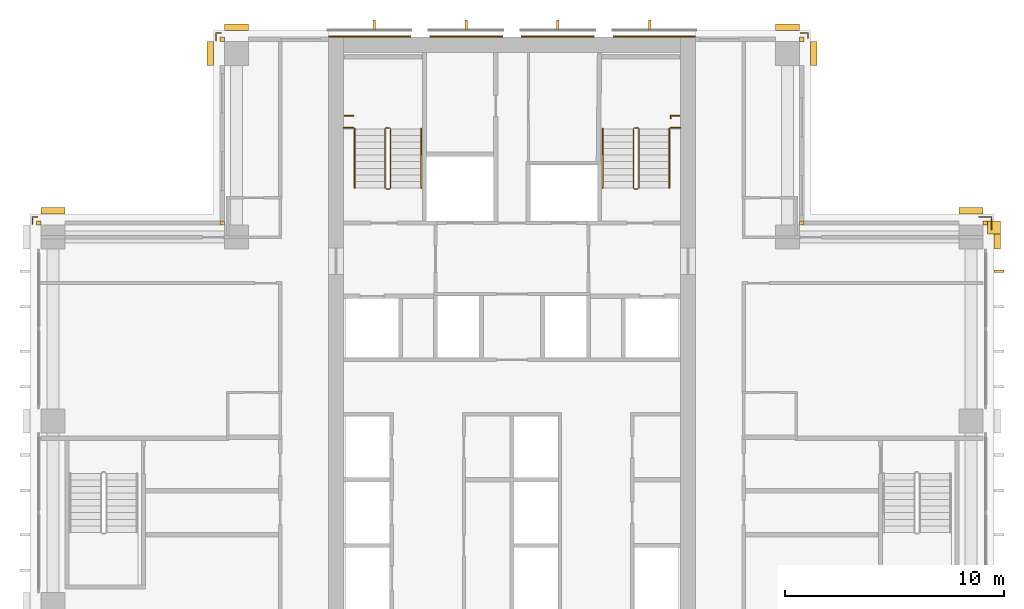
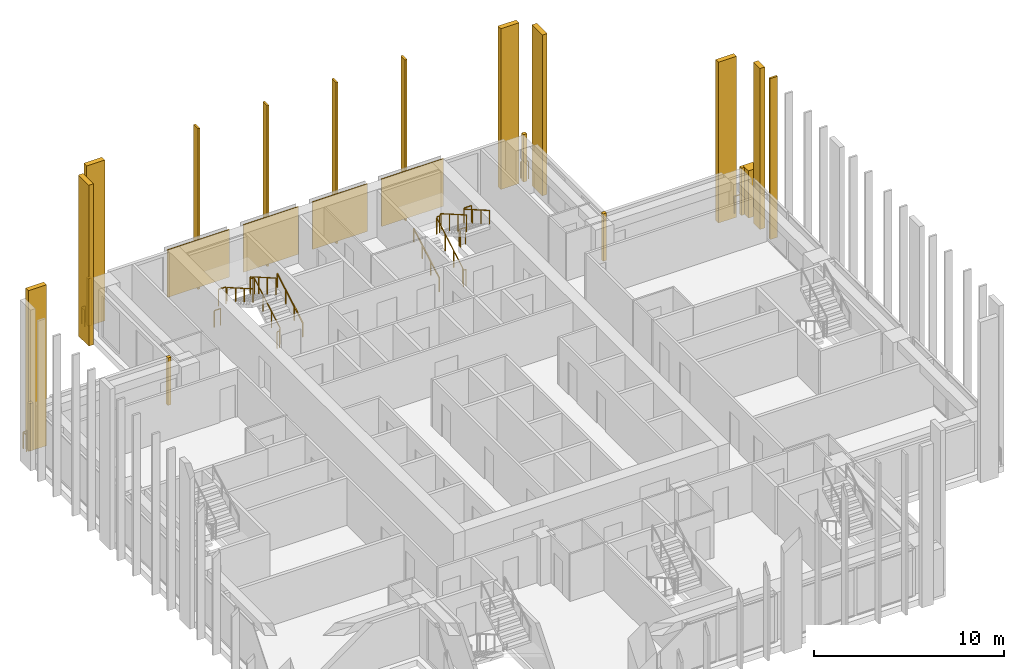
# One storey, part 16 of 16: 23 coverings, 14 railings.
"""IFC4 building model written with IfcOpenShell, lengths in metres."""

from ifc_helpers import new_model, si_unit, direction, frame, origin, origin_2d, place, context, subcontext, project, spatial, polyline, rectangle, outline, extrude, material, layer, layer_set, type_object, element, save


model = new_model("IFC4")

# Units and contexts
model_context = context("Model", 3, precision=1e-05, world=origin(), true_north=direction((0.0, 1.0)))
body_context = subcontext(model_context, "Body", "Model", "MODEL_VIEW")
ifc_project = project(units=[si_unit("LENGTHUNIT", "METRE"), si_unit("AREAUNIT", "SQUARE_METRE"), si_unit("VOLUMEUNIT", "CUBIC_METRE"), si_unit("PLANEANGLEUNIT", "RADIAN"), si_unit("MASSUNIT", "GRAM", prefix="KILO")], contexts=[model_context])

# Site, building, storey
site_placement = place(None, origin())
site = spatial("IfcSite", under=ifc_project, at=site_placement, CompositionType="ELEMENT")
building_placement = place(site_placement, origin())
building = spatial("IfcBuilding", under=site, at=building_placement, Name="Vermilion Ogive Tower", CompositionType="ELEMENT")
storey_placement = place(building_placement, frame((0.0, 0.0, 133.10009765625)))
storey = spatial("IfcBuildingStorey", under=building, at=storey_placement, Name="L33", CompositionType="ELEMENT", Elevation=133.10009765625)

# Coverings
ifc_material_1 = material(Name="Glazed ceramic screen")
ifc_layer = layer(ifc_material_1, 0.14990234375)
ifc_layer_set = layer_set([ifc_layer], Name="Ceramic solar screen fin")
covering_type_1 = type_object("IfcCoveringType", Name="Ceramic solar screen fin", PredefinedType="CLADDING", material=ifc_layer_set)
covering_1_placement = place(storey_placement, frame((0.0, 0.0, -0.400146484375)))
element("IfcCovering", 1, at=covering_1_placement, inside=storey, type_object=covering_type_1, Name="Solar screen blade E022", PredefinedType="CLADDING", context=body_context, shape_type="SweptSolid", body=[
    extrude(outline(polyline([(22.5, 10.9775390625), (22.5, 11.097412109375), (22.050048828125, 11.097412109375), (22.050048828125, 10.9775390625), (22.5, 10.9775390625)])), origin(), (0.0, 0.0, 1.0), 10.35009765625),
])
covering_2_placement = place(storey_placement, frame((0.0, 0.0, -0.400146484375)))
element("IfcCovering", 2, at=covering_2_placement, inside=storey, type_object=covering_type_1, Name="Solar screen blade N1", PredefinedType="CLADDING", context=body_context, shape_type="SweptSolid", body=[
    extrude(outline(polyline([(-6.360107421875, 22.08203125), (-6.239990234375, 22.08203125), (-6.239990234375, 22.531982421875), (-6.360107421875, 22.531982421875), (-6.360107421875, 22.08203125)])), origin(), (0.0, 0.0, 1.0), 10.35009765625),
])
covering_3_placement = place(storey_placement, frame((0.0, 0.0, -0.400146484375)))
element("IfcCovering", 3, at=covering_3_placement, inside=storey, type_object=covering_type_1, Name="Solar screen blade N2", PredefinedType="CLADDING", context=body_context, shape_type="SweptSolid", body=[
    extrude(outline(polyline([(-2.159912109375, 22.08203125), (-2.0400390625, 22.08203125), (-2.0400390625, 22.531982421875), (-2.159912109375, 22.531982421875), (-2.159912109375, 22.08203125)])), origin(), (0.0, 0.0, 1.0), 10.35009765625),
])
covering_4_placement = place(storey_placement, frame((0.0, 0.0, -0.400146484375)))
element("IfcCovering", 4, at=covering_4_placement, inside=storey, type_object=covering_type_1, Name="Solar screen blade N3", PredefinedType="CLADDING", context=body_context, shape_type="SweptSolid", body=[
    extrude(outline(polyline([(2.0400390625, 22.08203125), (2.159912109375, 22.08203125), (2.159912109375, 22.531982421875), (2.0400390625, 22.531982421875), (2.0400390625, 22.08203125)])), origin(), (0.0, 0.0, 1.0), 10.35009765625),
])
covering_5_placement = place(storey_placement, frame((0.0, 0.0, -0.400146484375)))
element("IfcCovering", 5, at=covering_5_placement, inside=storey, type_object=covering_type_1, Name="Solar screen blade N4", PredefinedType="CLADDING", context=body_context, shape_type="SweptSolid", body=[
    extrude(outline(polyline([(6.239990234375, 22.08203125), (6.360107421875, 22.08203125), (6.360107421875, 22.531982421875), (6.239990234375, 22.531982421875), (6.239990234375, 22.08203125)])), origin(), (0.0, 0.0, 1.0), 10.35009765625),
])

# Railings
ifc_material_2 = material(Name="Stainless steel", Category="steel")
railing_type_1 = type_object("IfcRailingType", Name="Slab edge guard SG1", PredefinedType="GUARDRAIL", material=ifc_material_2)
railing_1_placement = place(storey_placement, frame((-21.929931640625, 13.199951171875, 0.0)))
element("IfcRailing", 6, at=railing_1_placement, inside=storey, type_object=railing_type_1, Name="L33 slab corner guard", PredefinedType="GUARDRAIL", context=body_context, shape_type="SweptSolid", body=[
    extrude(rectangle(XDim=0.050048828125, YDim=0.050048828125, at=origin_2d()), frame((0.0, 0.0, 1.0751953125), z_axis=(0.0, 1.0, 0.0), x_axis=(-1.0, 0.0, 0.0)), (0.0, 0.0, 1.0), 0.330078125),
    extrude(rectangle(XDim=0.050048828125, YDim=0.050048828125, at=origin_2d()), frame((0.0, 0.330078125, 1.0751953125), z_axis=(1.0, 0.0, 0.0), x_axis=(0.0, 1.0, 0.0)), (0.0, 0.0, 1.0), 0.22998046875),
    extrude(rectangle(XDim=0.050048828125, YDim=0.050048828125, at=origin_2d()), origin(), (0.0, 0.0, 1.0), 1.050048828125),
    extrude(rectangle(XDim=0.050048828125, YDim=0.050048828125, at=origin_2d()), frame((0.0, 0.330078125, 0.0)), (0.0, 0.0, 1.0), 1.050048828125),
    extrude(rectangle(XDim=0.050048828125, YDim=0.050048828125, at=origin_2d()), frame((0.22998046875, 0.330078125, 0.0)), (0.0, 0.0, 1.0), 1.050048828125),
])
railing_2_placement = place(storey_placement, frame((-13.530029296875, 21.60009765625, 0.0)))
element("IfcRailing", 7, at=railing_2_placement, inside=storey, type_object=railing_type_1, Name="L33 slab corner guard", PredefinedType="GUARDRAIL", context=body_context, shape_type="SweptSolid", body=[
    extrude(rectangle(XDim=0.050048828125, YDim=0.050048828125, at=origin_2d()), frame((0.0, 0.0, 1.0751953125), z_axis=(0.0, 1.0, 0.0), x_axis=(-1.0, 0.0, 0.0)), (0.0, 0.0, 1.0), 0.329833984375),
    extrude(rectangle(XDim=0.050048828125, YDim=0.050048828125, at=origin_2d()), frame((0.0, 0.329833984375, 1.0751953125), z_axis=(1.0, 0.0, 0.0), x_axis=(0.0, 1.0, 0.0)), (0.0, 0.0, 1.0), 0.22998046875),
    extrude(rectangle(XDim=0.050048828125, YDim=0.050048828125, at=origin_2d()), origin(), (0.0, 0.0, 1.0), 1.050048828125),
    extrude(rectangle(XDim=0.050048828125, YDim=0.050048828125, at=origin_2d()), frame((0.0, 0.329833984375, 0.0)), (0.0, 0.0, 1.0), 1.050048828125),
    extrude(rectangle(XDim=0.050048828125, YDim=0.050048828125, at=origin_2d()), frame((0.22998046875, 0.329833984375, 0.0)), (0.0, 0.0, 1.0), 1.050048828125),
])
railing_3_placement = place(storey_placement, frame((13.199951171875, 21.929931640625, 0.0)))
element("IfcRailing", 8, at=railing_3_placement, inside=storey, type_object=railing_type_1, Name="L33 slab corner guard", PredefinedType="GUARDRAIL", context=body_context, shape_type="SweptSolid", body=[
    extrude(rectangle(XDim=0.050048828125, YDim=0.050048828125, at=origin_2d()), frame((0.0, 0.0, 1.0751953125), z_axis=(1.0, 0.0, 0.0), x_axis=(0.0, 1.0, 0.0)), (0.0, 0.0, 1.0), 0.330078125),
    extrude(rectangle(XDim=0.050048828125, YDim=0.050048828125, at=origin_2d()), frame((0.330078125, 0.0, 1.0751953125), z_axis=(0.0, -1.0, 0.0), x_axis=(1.0, 0.0, 0.0)), (0.0, 0.0, 1.0), 0.22998046875),
    extrude(rectangle(XDim=0.050048828125, YDim=0.050048828125, at=origin_2d()), origin(), (0.0, 0.0, 1.0), 1.050048828125),
    extrude(rectangle(XDim=0.050048828125, YDim=0.050048828125, at=origin_2d()), frame((0.330078125, 0.0, 0.0)), (0.0, 0.0, 1.0), 1.050048828125),
    extrude(rectangle(XDim=0.050048828125, YDim=0.050048828125, at=origin_2d()), frame((0.330078125, -0.22998046875, 0.0)), (0.0, 0.0, 1.0), 1.050048828125),
])
railing_4_placement = place(storey_placement, frame((21.929931640625, 12.949951171875, 0.0)))
element("IfcRailing", 9, at=railing_4_placement, inside=storey, type_object=railing_type_1, Name="L33 slab corner guard", PredefinedType="GUARDRAIL", context=body_context, shape_type="SweptSolid", body=[
    extrude(rectangle(XDim=0.050048828125, YDim=0.050048828125, at=origin_2d()), frame((0.0, 0.0, 1.0751953125), z_axis=(0.0, 1.0, 0.0), x_axis=(-1.0, 0.0, 0.0)), (0.0, 0.0, 1.0), 0.580078125),
    extrude(rectangle(XDim=0.050048828125, YDim=0.050048828125, at=origin_2d()), frame((0.0, 0.580078125, 1.0751953125), z_axis=(-1.0, 0.0, 0.0), x_axis=(0.0, -1.0, 0.0)), (0.0, 0.0, 1.0), 0.579833984375),
    extrude(rectangle(XDim=0.050048828125, YDim=0.050048828125, at=origin_2d()), origin(), (0.0, 0.0, 1.0), 1.050048828125),
    extrude(rectangle(XDim=0.050048828125, YDim=0.050048828125, at=origin_2d()), frame((0.0, 0.580078125, 0.0)), (0.0, 0.0, 1.0), 1.050048828125),
    extrude(rectangle(XDim=0.050048828125, YDim=0.050048828125, at=origin_2d()), frame((-0.579833984375, 0.580078125, 0.0)), (0.0, 0.0, 1.0), 1.050048828125),
])
ifc_material_3 = material(Name="Steel S355 painted", Category="steel")
railing_type_2 = type_object("IfcRailingType", Name="Stair guard 1100", PredefinedType="GUARDRAIL", material=ifc_material_3)
railing_5_placement = place(storey_placement, frame((-5.75, 14.800048828125, 0.0)))
element("IfcRailing", 10, at=railing_5_placement, inside=storey, type_object=railing_type_2, Name="L33 ST1 stair guard 4", PredefinedType="GUARDRAIL", context=body_context, shape_type="SweptSolid", body=[
    extrude(rectangle(XDim=0.048095703125, YDim=0.048095703125, at=origin_2d()), frame((0.0, 0.0, 1.076171875), z_axis=(1.0, 0.0, 0.0), x_axis=(0.0, 1.0, 0.0)), (0.0, 0.0, 1.0), 0.14990234375),
    extrude(rectangle(XDim=0.048095703125, YDim=0.048095703125, at=origin_2d()), frame((0.14990234375, 0.0, 1.076171875), z_axis=(0.268603158521, 0.268603158521, 0.925043072762), x_axis=(-0.707106781187, 0.707106781187, 0.0)), (0.0, 0.0, 1.0), 0.186279296875),
    extrude(rectangle(XDim=0.048095703125, YDim=0.048095703125, at=origin_2d()), frame((0.199951171875, 0.050048828125, 1.24853515625), z_axis=(0.0, 0.866903762492, 0.498475542607), x_axis=(-1.0, 0.0, 0.0)), (0.0, 0.0, 1.0), 3.114501953125),
    extrude(rectangle(XDim=0.048095703125, YDim=0.048095703125, at=origin_2d()), frame((0.199951171875, 2.75, 2.80078125), z_axis=(-0.707106781187, 0.707106781187, 0.0), x_axis=(-0.707106781187, -0.707106781187, 0.0)), (0.0, 0.0, 1.0), 0.07080078125),
    extrude(rectangle(XDim=0.048095703125, YDim=0.048095703125, at=origin_2d()), frame((0.14990234375, 2.800048828125, 2.80078125), z_axis=(-1.0, 0.0, 0.0), x_axis=(0.0, -1.0, 0.0)), (0.0, 0.0, 1.0), 0.14990234375),
    extrude(rectangle(XDim=0.048095703125, YDim=0.048095703125, at=origin_2d()), frame((0.0, 2.800048828125, 2.80078125), z_axis=(-0.268277960024, -0.268277960024, 0.925231793839), x_axis=(0.707106781187, -0.707106781187, 0.0)), (0.0, 0.0, 1.0), 0.1865234375),
    extrude(rectangle(XDim=0.048095703125, YDim=0.048095703125, at=origin_2d()), frame((-0.050048828125, 2.75, 2.9736328125), z_axis=(0.0, -0.866903762492, 0.498475542607), x_axis=(1.0, 0.0, 0.0)), (0.0, 0.0, 1.0), 3.114501953125),
    extrude(rectangle(XDim=0.0419921875, YDim=0.0419921875, at=origin_2d()), origin(), (0.0, 0.0, 1.0), 1.052001953125),
    extrude(rectangle(XDim=0.0419921875, YDim=0.0419921875, at=origin_2d()), frame((0.14990234375, 0.0, 0.0)), (0.0, 0.0, 1.0), 1.052001953125),
    extrude(rectangle(XDim=0.0419921875, YDim=0.0419921875, at=origin_2d()), frame((0.199951171875, 0.050048828125, 0.17236328125)), (0.0, 0.0, 1.0), 1.052001953125),
    extrude(rectangle(XDim=0.0419921875, YDim=0.0419921875, at=origin_2d()), frame((0.199951171875, 0.949951171875, 0.68994140625)), (0.0, 0.0, 1.0), 1.052001953125),
    extrude(rectangle(XDim=0.0419921875, YDim=0.0419921875, at=origin_2d()), frame((0.199951171875, 1.85009765625, 1.207275390625)), (0.0, 0.0, 1.0), 1.052001953125),
    extrude(rectangle(XDim=0.0419921875, YDim=0.0419921875, at=origin_2d()), frame((0.199951171875, 2.75, 1.724853515625)), (0.0, 0.0, 1.0), 1.052001953125),
    extrude(rectangle(XDim=0.0419921875, YDim=0.0419921875, at=origin_2d()), frame((0.14990234375, 2.800048828125, 1.724853515625)), (0.0, 0.0, 1.0), 1.052001953125),
    extrude(rectangle(XDim=0.0419921875, YDim=0.0419921875, at=origin_2d()), frame((0.0, 2.800048828125, 1.724853515625)), (0.0, 0.0, 1.0), 1.052001953125),
    extrude(rectangle(XDim=0.0419921875, YDim=0.0419921875, at=origin_2d()), frame((-0.050048828125, 2.75, 1.8974609375)), (0.0, 0.0, 1.0), 1.052001953125),
    extrude(rectangle(XDim=0.0419921875, YDim=0.0419921875, at=origin_2d()), frame((-0.050048828125, 1.85009765625, 2.4150390625)), (0.0, 0.0, 1.0), 1.052001953125),
    extrude(rectangle(XDim=0.0419921875, YDim=0.0419921875, at=origin_2d()), frame((-0.050048828125, 0.949951171875, 2.932373046875)), (0.0, 0.0, 1.0), 1.052001953125),
    extrude(rectangle(XDim=0.0419921875, YDim=0.0419921875, at=origin_2d()), frame((-0.050048828125, 0.050048828125, 3.449951171875)), (0.0, 0.0, 1.0), 1.052001953125),
])
railing_6_placement = place(storey_placement, frame((5.75, 14.800048828125, 0.0)))
element("IfcRailing", 11, at=railing_6_placement, inside=storey, type_object=railing_type_2, Name="L33 ST2 stair guard 4", PredefinedType="GUARDRAIL", context=body_context, shape_type="SweptSolid", body=[
    extrude(rectangle(XDim=0.048095703125, YDim=0.048095703125, at=origin_2d()), frame((0.0, 0.0, 1.076171875), z_axis=(-1.0, 0.0, 0.0), x_axis=(0.0, -1.0, 0.0)), (0.0, 0.0, 1.0), 0.14990234375),
    extrude(rectangle(XDim=0.048095703125, YDim=0.048095703125, at=origin_2d()), frame((-0.14990234375, 0.0, 1.076171875), z_axis=(-0.268603158521, 0.268603158521, 0.925043072762), x_axis=(-0.707106781187, -0.707106781187, 0.0)), (0.0, 0.0, 1.0), 0.186279296875),
    extrude(rectangle(XDim=0.048095703125, YDim=0.048095703125, at=origin_2d()), frame((-0.199951171875, 0.050048828125, 1.24853515625), z_axis=(0.0, 0.866903762492, 0.498475542607), x_axis=(-1.0, 0.0, 0.0)), (0.0, 0.0, 1.0), 3.114501953125),
    extrude(rectangle(XDim=0.048095703125, YDim=0.048095703125, at=origin_2d()), frame((-0.199951171875, 2.75, 2.80078125), z_axis=(0.707106781187, 0.707106781187, 0.0), x_axis=(-0.707106781187, 0.707106781187, 0.0)), (0.0, 0.0, 1.0), 0.07080078125),
    extrude(rectangle(XDim=0.048095703125, YDim=0.048095703125, at=origin_2d()), frame((-0.14990234375, 2.800048828125, 2.80078125), z_axis=(1.0, 0.0, 0.0), x_axis=(0.0, 1.0, 0.0)), (0.0, 0.0, 1.0), 0.14990234375),
    extrude(rectangle(XDim=0.048095703125, YDim=0.048095703125, at=origin_2d()), frame((0.0, 2.800048828125, 2.80078125), z_axis=(0.268277960024, -0.268277960024, 0.925231793839), x_axis=(0.707106781187, 0.707106781187, 0.0)), (0.0, 0.0, 1.0), 0.1865234375),
    extrude(rectangle(XDim=0.048095703125, YDim=0.048095703125, at=origin_2d()), frame((0.050048828125, 2.75, 2.9736328125), z_axis=(0.0, -0.866903762492, 0.498475542607), x_axis=(1.0, 0.0, 0.0)), (0.0, 0.0, 1.0), 3.114501953125),
    extrude(rectangle(XDim=0.0419921875, YDim=0.0419921875, at=origin_2d()), origin(), (0.0, 0.0, 1.0), 1.052001953125),
    extrude(rectangle(XDim=0.0419921875, YDim=0.0419921875, at=origin_2d()), frame((-0.14990234375, 0.0, 0.0)), (0.0, 0.0, 1.0), 1.052001953125),
    extrude(rectangle(XDim=0.0419921875, YDim=0.0419921875, at=origin_2d()), frame((-0.199951171875, 0.050048828125, 0.17236328125)), (0.0, 0.0, 1.0), 1.052001953125),
    extrude(rectangle(XDim=0.0419921875, YDim=0.0419921875, at=origin_2d()), frame((-0.199951171875, 0.949951171875, 0.68994140625)), (0.0, 0.0, 1.0), 1.052001953125),
    extrude(rectangle(XDim=0.0419921875, YDim=0.0419921875, at=origin_2d()), frame((-0.199951171875, 1.85009765625, 1.207275390625)), (0.0, 0.0, 1.0), 1.052001953125),
    extrude(rectangle(XDim=0.0419921875, YDim=0.0419921875, at=origin_2d()), frame((-0.199951171875, 2.75, 1.724853515625)), (0.0, 0.0, 1.0), 1.052001953125),
    extrude(rectangle(XDim=0.0419921875, YDim=0.0419921875, at=origin_2d()), frame((-0.14990234375, 2.800048828125, 1.724853515625)), (0.0, 0.0, 1.0), 1.052001953125),
    extrude(rectangle(XDim=0.0419921875, YDim=0.0419921875, at=origin_2d()), frame((0.0, 2.800048828125, 1.724853515625)), (0.0, 0.0, 1.0), 1.052001953125),
    extrude(rectangle(XDim=0.0419921875, YDim=0.0419921875, at=origin_2d()), frame((0.050048828125, 2.75, 1.8974609375)), (0.0, 0.0, 1.0), 1.052001953125),
    extrude(rectangle(XDim=0.0419921875, YDim=0.0419921875, at=origin_2d()), frame((0.050048828125, 1.85009765625, 2.4150390625)), (0.0, 0.0, 1.0), 1.052001953125),
    extrude(rectangle(XDim=0.0419921875, YDim=0.0419921875, at=origin_2d()), frame((0.050048828125, 0.949951171875, 2.932373046875)), (0.0, 0.0, 1.0), 1.052001953125),
    extrude(rectangle(XDim=0.0419921875, YDim=0.0419921875, at=origin_2d()), frame((0.050048828125, 0.050048828125, 3.449951171875)), (0.0, 0.0, 1.0), 1.052001953125),
])
for number, where, name in (
    (12, (-7.699951171875, 17.60009765625, 1.724853515625), "L33 landing guard"),
    (13, (7.25, 17.60009765625, 1.724853515625), "L33 landing guard"),
):
    element("IfcRailing", number, at=place(storey_placement, frame(where)), inside=storey, type_object=railing_type_2, Name=name, PredefinedType="GUARDRAIL", context=body_context, shape_type="SweptSolid", body=[
        extrude(rectangle(XDim=0.048095703125, YDim=0.048095703125, at=origin_2d()), frame((0.0, 0.0, 1.076171875), z_axis=(1.0, 0.0, 0.0), x_axis=(0.0, 1.0, 0.0)), (0.0, 0.0, 1.0), 0.449951171875),
        extrude(rectangle(XDim=0.0419921875, YDim=0.0419921875, at=origin_2d()), origin(), (0.0, 0.0, 1.0), 1.052001953125),
        extrude(rectangle(XDim=0.0419921875, YDim=0.0419921875, at=origin_2d()), frame((0.449951171875, 0.0, 0.0)), (0.0, 0.0, 1.0), 1.052001953125),
    ])
railing_7_placement = place(storey_placement, frame((-7.639892578125, 18.14990234375, 0.0)))
element("IfcRailing", 14, at=railing_7_placement, inside=storey, type_object=railing_type_2, Name="L33 stair opening guard", PredefinedType="GUARDRAIL", context=body_context, shape_type="SweptSolid", body=[
    extrude(rectangle(XDim=0.048095703125, YDim=0.048095703125, at=origin_2d()), frame((0.0, 0.0, 1.076171875), z_axis=(1.0, 0.0, 0.0), x_axis=(0.0, 1.0, 0.0)), (0.0, 0.0, 1.0), 0.389892578125),
    extrude(rectangle(XDim=0.0419921875, YDim=0.0419921875, at=origin_2d()), origin(), (0.0, 0.0, 1.0), 1.052001953125),
    extrude(rectangle(XDim=0.0419921875, YDim=0.0419921875, at=origin_2d()), frame((0.389892578125, 0.0, 0.0)), (0.0, 0.0, 1.0), 1.052001953125),
])
railing_8_placement = place(storey_placement, frame((7.267578125, 18.03271484375, 0.0)))
element("IfcRailing", 15, at=railing_8_placement, inside=storey, type_object=railing_type_2, Name="L33 stair opening guard", PredefinedType="GUARDRAIL", context=body_context, shape_type="SweptSolid", body=[
    extrude(rectangle(XDim=0.048095703125, YDim=0.048095703125, at=origin_2d()), frame((0.0, 0.0, 1.076171875), z_axis=(0.0, 1.0, 0.0), x_axis=(-1.0, 0.0, 0.0)), (0.0, 0.0, 1.0), 0.119873046875),
    extrude(rectangle(XDim=0.048095703125, YDim=0.048095703125, at=origin_2d()), frame((0.0, 0.119873046875, 1.076171875), z_axis=(1.0, 0.0, 0.0), x_axis=(0.0, 1.0, 0.0)), (0.0, 0.0, 1.0), 0.39013671875),
    extrude(rectangle(XDim=0.0419921875, YDim=0.0419921875, at=origin_2d()), origin(), (0.0, 0.0, 1.0), 1.052001953125),
    extrude(rectangle(XDim=0.0419921875, YDim=0.0419921875, at=origin_2d()), frame((0.0, 0.119873046875, 0.0)), (0.0, 0.0, 1.0), 1.052001953125),
    extrude(rectangle(XDim=0.0419921875, YDim=0.0419921875, at=origin_2d()), frame((0.39013671875, 0.119873046875, 0.0)), (0.0, 0.0, 1.0), 1.052001953125),
])
ifc_material_4 = material(Name="Stainless steel", Category="steel")
railing_type_3 = type_object("IfcRailingType", Name="Stair handrail 900", PredefinedType="HANDRAIL", material=ifc_material_4)
railing_9_placement = place(storey_placement, frame((-4.14990234375, 14.85009765625, 0.17236328125)))
element("IfcRailing", 16, at=railing_9_placement, inside=storey, type_object=railing_type_3, Name="L33 ST1 stair handrail 1", PredefinedType="HANDRAIL", context=body_context, shape_type="SweptSolid", body=[
    extrude(rectangle(XDim=0.048095703125, YDim=0.048095703125, at=origin_2d()), frame((0.0, 0.0, 0.8759765625), z_axis=(0.0, 0.866903762492, 0.498475542607), x_axis=(-1.0, 0.0, 0.0)), (0.0, 0.0, 1.0), 3.114501953125),
    extrude(rectangle(XDim=0.0419921875, YDim=0.0419921875, at=origin_2d()), origin(), (0.0, 0.0, 1.0), 0.851806640625),
    extrude(rectangle(XDim=0.0419921875, YDim=0.0419921875, at=origin_2d()), frame((0.0, 0.89990234375, 0.517578125)), (0.0, 0.0, 1.0), 0.851806640625),
    extrude(rectangle(XDim=0.0419921875, YDim=0.0419921875, at=origin_2d()), frame((0.0, 1.800048828125, 1.034912109375)), (0.0, 0.0, 1.0), 0.851806640625),
    extrude(rectangle(XDim=0.0419921875, YDim=0.0419921875, at=origin_2d()), frame((0.0, 2.699951171875, 1.552490234375)), (0.0, 0.0, 1.0), 0.851806640625),
])
railing_10_placement = place(storey_placement, frame((-7.199951171875, 17.550048828125, 1.8974609375)))
element("IfcRailing", 17, at=railing_10_placement, inside=storey, type_object=railing_type_3, Name="L33 ST1 stair handrail 2", PredefinedType="HANDRAIL", context=body_context, shape_type="SweptSolid", body=[
    extrude(rectangle(XDim=0.048095703125, YDim=0.048095703125, at=origin_2d()), frame((0.0, 0.0, 0.8759765625), z_axis=(0.0, -0.866903762492, 0.498475542607), x_axis=(1.0, 0.0, 0.0)), (0.0, 0.0, 1.0), 3.114501953125),
    extrude(rectangle(XDim=0.0419921875, YDim=0.0419921875, at=origin_2d()), origin(), (0.0, 0.0, 1.0), 0.851806640625),
    extrude(rectangle(XDim=0.0419921875, YDim=0.0419921875, at=origin_2d()), frame((0.0, -0.89990234375, 0.517578125)), (0.0, 0.0, 1.0), 0.851806640625),
    extrude(rectangle(XDim=0.0419921875, YDim=0.0419921875, at=origin_2d()), frame((0.0, -1.800048828125, 1.034912109375)), (0.0, 0.0, 1.0), 0.851806640625),
    extrude(rectangle(XDim=0.0419921875, YDim=0.0419921875, at=origin_2d()), frame((0.0, -2.699951171875, 1.552490234375)), (0.0, 0.0, 1.0), 0.851806640625),
])
railing_11_placement = place(storey_placement, frame((4.14990234375, 14.85009765625, 0.17236328125)))
element("IfcRailing", 18, at=railing_11_placement, inside=storey, type_object=railing_type_3, Name="L33 ST2 stair handrail 1", PredefinedType="HANDRAIL", context=body_context, shape_type="SweptSolid", body=[
    extrude(rectangle(XDim=0.048095703125, YDim=0.048095703125, at=origin_2d()), frame((0.0, 0.0, 0.8759765625), z_axis=(0.0, 0.866903762492, 0.498475542607), x_axis=(-1.0, 0.0, 0.0)), (0.0, 0.0, 1.0), 3.114501953125),
    extrude(rectangle(XDim=0.0419921875, YDim=0.0419921875, at=origin_2d()), origin(), (0.0, 0.0, 1.0), 0.851806640625),
    extrude(rectangle(XDim=0.0419921875, YDim=0.0419921875, at=origin_2d()), frame((0.0, 0.89990234375, 0.517578125)), (0.0, 0.0, 1.0), 0.851806640625),
    extrude(rectangle(XDim=0.0419921875, YDim=0.0419921875, at=origin_2d()), frame((0.0, 1.800048828125, 1.034912109375)), (0.0, 0.0, 1.0), 0.851806640625),
    extrude(rectangle(XDim=0.0419921875, YDim=0.0419921875, at=origin_2d()), frame((0.0, 2.699951171875, 1.552490234375)), (0.0, 0.0, 1.0), 0.851806640625),
])
railing_12_placement = place(storey_placement, frame((7.199951171875, 17.550048828125, 1.8974609375)))
element("IfcRailing", 19, at=railing_12_placement, inside=storey, type_object=railing_type_3, Name="L33 ST2 stair handrail 2", PredefinedType="HANDRAIL", context=body_context, shape_type="SweptSolid", body=[
    extrude(rectangle(XDim=0.048095703125, YDim=0.048095703125, at=origin_2d()), frame((0.0, 0.0, 0.8759765625), z_axis=(0.0, -0.866903762492, 0.498475542607), x_axis=(1.0, 0.0, 0.0)), (0.0, 0.0, 1.0), 3.114501953125),
    extrude(rectangle(XDim=0.0419921875, YDim=0.0419921875, at=origin_2d()), origin(), (0.0, 0.0, 1.0), 0.851806640625),
    extrude(rectangle(XDim=0.0419921875, YDim=0.0419921875, at=origin_2d()), frame((0.0, -0.89990234375, 0.517578125)), (0.0, 0.0, 1.0), 0.851806640625),
    extrude(rectangle(XDim=0.0419921875, YDim=0.0419921875, at=origin_2d()), frame((0.0, -1.800048828125, 1.034912109375)), (0.0, 0.0, 1.0), 0.851806640625),
    extrude(rectangle(XDim=0.0419921875, YDim=0.0419921875, at=origin_2d()), frame((0.0, -2.699951171875, 1.552490234375)), (0.0, 0.0, 1.0), 0.851806640625),
])

# Coverings
ifc_material_5 = material(Name="Stone cladding", Category="masonry")
covering_type_2 = type_object("IfcCoveringType", Name="Stone cladding panel", PredefinedType="CLADDING", material=ifc_material_5)
covering_6_placement = place(storey_placement, origin())
element("IfcCovering", 20, at=covering_6_placement, inside=storey, type_object=covering_type_2, Name="Stone cladding panel N1", PredefinedType="CLADDING", context=body_context, shape_type="SweptSolid", body=[
    extrude(outline(polyline([(-8.389892578125, 21.75), (-4.6298828125, 21.75), (-4.6298828125, 21.81005859375), (-8.389892578125, 21.81005859375), (-8.389892578125, 21.75)])), origin(), (0.0, 0.0, 1.0), 3.0498046875),
])
covering_7_placement = place(storey_placement, origin())
element("IfcCovering", 21, at=covering_7_placement, inside=storey, type_object=covering_type_2, Name="Stone cladding panel N2", PredefinedType="CLADDING", context=body_context, shape_type="SweptSolid", body=[
    extrude(outline(polyline([(-3.77001953125, 21.75), (-0.429931640625, 21.75), (-0.429931640625, 21.81005859375), (-3.77001953125, 21.81005859375), (-3.77001953125, 21.75)])), origin(), (0.0, 0.0, 1.0), 3.0498046875),
])
covering_8_placement = place(storey_placement, origin())
element("IfcCovering", 22, at=covering_8_placement, inside=storey, type_object=covering_type_2, Name="Stone cladding panel N3", PredefinedType="CLADDING", context=body_context, shape_type="SweptSolid", body=[
    extrude(outline(polyline([(0.429931640625, 21.75), (3.77001953125, 21.75), (3.77001953125, 21.81005859375), (0.429931640625, 21.81005859375), (0.429931640625, 21.75)])), origin(), (0.0, 0.0, 1.0), 3.0498046875),
])
covering_9_placement = place(storey_placement, origin())
element("IfcCovering", 23, at=covering_9_placement, inside=storey, type_object=covering_type_2, Name="Stone cladding panel N4", PredefinedType="CLADDING", context=body_context, shape_type="SweptSolid", body=[
    extrude(outline(polyline([(4.6298828125, 21.75), (8.389892578125, 21.75), (8.389892578125, 21.81005859375), (4.6298828125, 21.81005859375), (4.6298828125, 21.75)])), origin(), (0.0, 0.0, 1.0), 3.0498046875),
])
ifc_material_6 = material(Name="Stone cladding", Category="masonry")
covering_type_3 = type_object("IfcCoveringType", Name="Stone corner buttress", PredefinedType="CLADDING", material=ifc_material_6)
covering_10_placement = place(storey_placement, origin())
element("IfcCovering", 24, at=covering_10_placement, inside=storey, type_object=covering_type_3, Name="Stone crease pier EK", PredefinedType="CLADDING", context=body_context, shape_type="SweptSolid", body=[
    extrude(outline(polyline([(22.35009765625, 12.75), (22.35009765625, 13.35009765625), (21.75, 13.35009765625), (21.75, 12.75), (22.35009765625, 12.75)])), origin(), (0.0, 0.0, 1.0), 3.0498046875),
])
ifc_material_7 = material(Name="Stone cladding", Category="masonry")
covering_type_4 = type_object("IfcCoveringType", Name="Stone pier", PredefinedType="CLADDING", material=ifc_material_7)
covering_11_placement = place(storey_placement, origin())
element("IfcCovering", 25, at=covering_11_placement, inside=storey, type_object=covering_type_4, Name="Stone corner pier EE1", PredefinedType="CLADDING", context=body_context, shape_type="SweptSolid", body=[
    extrude(outline(polyline([(21.75, 13.14990234375), (21.550048828125, 13.14990234375), (21.550048828125, 13.35009765625), (21.75, 13.35009765625), (21.75, 13.14990234375)])), origin(), (0.0, 0.0, 1.0), 3.0498046875),
])
covering_12_placement = place(storey_placement, origin())
element("IfcCovering", 26, at=covering_12_placement, inside=storey, type_object=covering_type_4, Name="Stone corner pier X3E1", PredefinedType="CLADDING", context=body_context, shape_type="SweptSolid", body=[
    extrude(outline(polyline([(13.14990234375, 13.14990234375), (13.14990234375, 13.35009765625), (13.35009765625, 13.35009765625), (13.35009765625, 13.14990234375), (13.14990234375, 13.14990234375)])), origin(), (0.0, 0.0, 1.0), 3.0498046875),
])
covering_13_placement = place(storey_placement, origin())
element("IfcCovering", 27, at=covering_13_placement, inside=storey, type_object=covering_type_4, Name="Stone corner pier X4E1", PredefinedType="CLADDING", context=body_context, shape_type="SweptSolid", body=[
    extrude(outline(polyline([(13.35009765625, 21.550048828125), (13.14990234375, 21.550048828125), (13.14990234375, 21.75), (13.35009765625, 21.75), (13.35009765625, 21.550048828125)])), origin(), (0.0, 0.0, 1.0), 3.0498046875),
])
covering_14_placement = place(storey_placement, origin())
element("IfcCovering", 28, at=covering_14_placement, inside=storey, type_object=covering_type_4, Name="Stone corner pier N2E1", PredefinedType="CLADDING", context=body_context, shape_type="SweptSolid", body=[
    extrude(outline(polyline([(-13.14990234375, 21.75), (-13.14990234375, 21.550048828125), (-13.35009765625, 21.550048828125), (-13.35009765625, 21.75), (-13.14990234375, 21.75)])), origin(), (0.0, 0.0, 1.0), 3.0498046875),
])
covering_15_placement = place(storey_placement, origin())
element("IfcCovering", 29, at=covering_15_placement, inside=storey, type_object=covering_type_4, Name="Stone corner pier X5E1", PredefinedType="CLADDING", context=body_context, shape_type="SweptSolid", body=[
    extrude(outline(polyline([(-13.14990234375, 13.14990234375), (-13.35009765625, 13.14990234375), (-13.35009765625, 13.35009765625), (-13.14990234375, 13.35009765625), (-13.14990234375, 13.14990234375)])), origin(), (0.0, 0.0, 1.0), 3.0498046875),
])
covering_16_placement = place(storey_placement, origin())
element("IfcCovering", 30, at=covering_16_placement, inside=storey, type_object=covering_type_4, Name="Stone corner pier X6E1", PredefinedType="CLADDING", context=body_context, shape_type="SweptSolid", body=[
    extrude(outline(polyline([(-21.550048828125, 13.35009765625), (-21.550048828125, 13.14990234375), (-21.75, 13.14990234375), (-21.75, 13.35009765625), (-21.550048828125, 13.35009765625)])), origin(), (0.0, 0.0, 1.0), 3.0498046875),
])
covering_17_placement = place(storey_placement, frame((0.0, 0.0, -0.400146484375)))
element("IfcCovering", 31, at=covering_17_placement, inside=storey, type_object=covering_type_4, Name="Stone pier P+0126+210X4", PredefinedType="CLADDING", context=body_context, shape_type="SweptSolid", body=[
    extrude(outline(polyline([(13.949951171875, 21.550048828125), (13.949951171875, 20.449951171875), (13.64990234375, 20.449951171875), (13.64990234375, 21.550048828125), (13.949951171875, 21.550048828125)])), origin(), (0.0, 0.0, 1.0), 10.35009765625),
])
covering_18_placement = place(storey_placement, frame((0.0, 0.0, -0.400146484375)))
element("IfcCovering", 32, at=covering_18_placement, inside=storey, type_object=covering_type_4, Name="Stone pier P+0126+210N1", PredefinedType="CLADDING", context=body_context, shape_type="SweptSolid", body=[
    extrude(outline(polyline([(13.14990234375, 22.35009765625), (13.14990234375, 22.050048828125), (12.050048828125, 22.050048828125), (12.050048828125, 22.35009765625), (13.14990234375, 22.35009765625)])), origin(), (0.0, 0.0, 1.0), 10.35009765625),
])
covering_19_placement = place(storey_placement, frame((0.0, 0.0, -0.400146484375)))
element("IfcCovering", 33, at=covering_19_placement, inside=storey, type_object=covering_type_4, Name="Stone pier P+0210+126E", PredefinedType="CLADDING", context=body_context, shape_type="SweptSolid", body=[
    extrude(outline(polyline([(22.35009765625, 12.050048828125), (22.050048828125, 12.050048828125), (22.050048828125, 12.75), (22.35009765625, 12.75), (22.35009765625, 12.050048828125)])), origin(), (0.0, 0.0, 1.0), 10.35009765625),
])
covering_20_placement = place(storey_placement, frame((0.0, 0.0, -0.400146484375)))
element("IfcCovering", 34, at=covering_20_placement, inside=storey, type_object=covering_type_4, Name="Stone pier P+0210+126X3", PredefinedType="CLADDING", context=body_context, shape_type="SweptSolid", body=[
    extrude(outline(polyline([(21.550048828125, 13.949951171875), (21.550048828125, 13.64990234375), (20.449951171875, 13.64990234375), (20.449951171875, 13.949951171875), (21.550048828125, 13.949951171875)])), origin(), (0.0, 0.0, 1.0), 10.35009765625),
])
covering_21_placement = place(storey_placement, frame((0.0, 0.0, -0.400146484375)))
element("IfcCovering", 35, at=covering_21_placement, inside=storey, type_object=covering_type_4, Name="Stone pier P-0126+210N2", PredefinedType="CLADDING", context=body_context, shape_type="SweptSolid", body=[
    extrude(outline(polyline([(-13.14990234375, 22.35009765625), (-12.050048828125, 22.35009765625), (-12.050048828125, 22.050048828125), (-13.14990234375, 22.050048828125), (-13.14990234375, 22.35009765625)])), origin(), (0.0, 0.0, 1.0), 10.35009765625),
])
covering_22_placement = place(storey_placement, frame((0.0, 0.0, -0.400146484375)))
element("IfcCovering", 36, at=covering_22_placement, inside=storey, type_object=covering_type_4, Name="Stone pier P-0126+210X5", PredefinedType="CLADDING", context=body_context, shape_type="SweptSolid", body=[
    extrude(outline(polyline([(-13.949951171875, 21.550048828125), (-13.64990234375, 21.550048828125), (-13.64990234375, 20.449951171875), (-13.949951171875, 20.449951171875), (-13.949951171875, 21.550048828125)])), origin(), (0.0, 0.0, 1.0), 10.35009765625),
])
covering_23_placement = place(storey_placement, frame((0.0, 0.0, -0.400146484375)))
element("IfcCovering", 37, at=covering_23_placement, inside=storey, type_object=covering_type_4, Name="Stone pier P-0210+126X6", PredefinedType="CLADDING", context=body_context, shape_type="SweptSolid", body=[
    extrude(outline(polyline([(-21.550048828125, 13.949951171875), (-20.449951171875, 13.949951171875), (-20.449951171875, 13.64990234375), (-21.550048828125, 13.64990234375), (-21.550048828125, 13.949951171875)])), origin(), (0.0, 0.0, 1.0), 10.35009765625),
])

save(model, "model.ifc")
